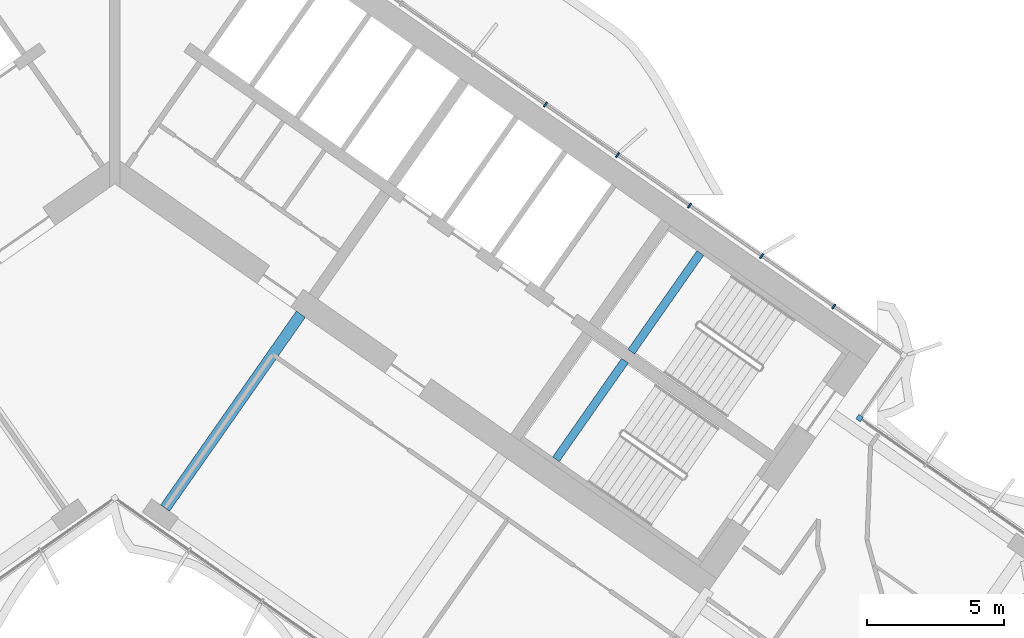
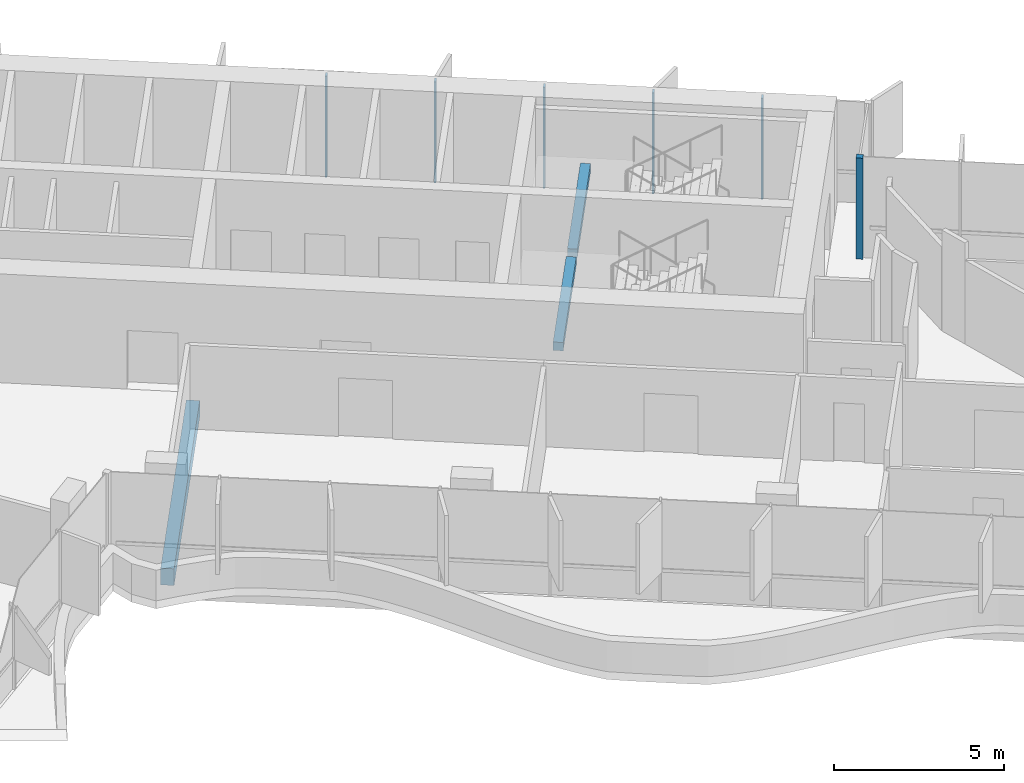
# One storey, part 6 of 21: 6 members, 3 beams, 1 element without a shape of its own.
"""IFC4 building model written with IfcOpenShell, lengths in metres."""

from ifc_helpers import new_model, si_unit, direction, frame, origin, origin_2d, place, context, subcontext, project, spatial, rectangle, extrude, material, material_profile, profile_set, type_object, element, aggregate, save


model = new_model("IFC4")

# Units and contexts
model_context = context("Model", 3, precision=1e-05, world=origin(), true_north=direction((0.0, 1.0)))
body_context = subcontext(model_context, "Body", "Model", "MODEL_VIEW")
ifc_project = project(units=[si_unit("LENGTHUNIT", "METRE"), si_unit("AREAUNIT", "SQUARE_METRE"), si_unit("VOLUMEUNIT", "CUBIC_METRE"), si_unit("PLANEANGLEUNIT", "RADIAN"), si_unit("MASSUNIT", "GRAM", prefix="KILO")], contexts=[model_context])

# Site, building, storey
site_placement = place(None, origin())
site = spatial("IfcSite", under=ifc_project, at=site_placement, CompositionType="ELEMENT")
building_placement = place(site_placement, origin())
building = spatial("IfcBuilding", under=site, at=building_placement, Name="Tel Ilan Convention Tower", CompositionType="ELEMENT")
storey_placement = place(building_placement, frame((0.0, 0.0, 210.0)))
storey = spatial("IfcBuildingStorey", under=building, at=storey_placement, Name="L49", CompositionType="ELEMENT", Elevation=210.0)

# Beam
ifc_material_1 = material(Name="Concrete C40/50", Category="concrete")
ifc_material_profile_1 = material_profile(ifc_material_1, rectangle(XDim=0.39990234375, YDim=0.60009765625, at=origin_2d()), Name="RC 400x600")
ifc_profile_set_1 = profile_set([ifc_material_profile_1], Name="Concrete C40/50")
beam_type_1 = type_object("IfcBeamType", Name="Beam RC 400x600 Concrete C40/50", PredefinedType="BEAM", material=ifc_profile_set_1)
beam_1_placement = place(storey_placement, frame((1.83740234375, -13.06689453125, -0.580078125), z_axis=(0.573574099654, 0.819153680457, 0.0), x_axis=(-0.819153680457, 0.573574099654, 0.0)))
element("IfcBeam", 1, at=beam_1_placement, inside=storey, type_object=beam_type_1, Name="L49 beam E-E-F1-core", PredefinedType="BEAM", context=body_context, shape_type="SweptSolid", body=[
    extrude(rectangle(XDim=0.39990234375, YDim=0.60009765625, at=origin_2d()), origin(), (0.0, 0.0, 1.0), 8.64990234375),
])

# Curtain wall, members
ifc_material_2 = material(Name="Aluminium, bronze anodised", Category="aluminium")
curtain_wall_type = type_object("IfcCurtainWallType", Name="CW2 STICK CURTAIN WALL, SPANDREL PANELS", PredefinedType="NOTDEFINED", material=ifc_material_2)
curtain_wall_placement = place(storey_placement, origin())
curtain_wall = element("IfcCurtainWall", 2, at=curtain_wall_placement, inside=storey, type_object=curtain_wall_type, Name="Curtain wall CW2-38.01", PredefinedType="NOTDEFINED")
ifc_material_3 = material(Name="Aluminium, bronze anodised", Category="aluminium")
ifc_material_profile_2 = material_profile(ifc_material_3, rectangle(XDim=0.199951171875, YDim=0.199951171875, at=origin_2d()), Name="CW CORNER MULLION 200x200")
ifc_profile_set_2 = profile_set([ifc_material_profile_2], Name="Aluminium, bronze anodised")
member_type_1 = type_object("IfcMemberType", Name="CW CORNER MULLION 200x200", PredefinedType="MULLION", material=ifc_profile_set_2)
member_1_placement = place(storey_placement, frame((27.213623046875, -9.77734375, 0.0), z_axis=(0.0, 0.0, 1.0), x_axis=(-0.819152044289, 0.573576436351, 0.0)))
member_1 = element("IfcMember", 3, at=member_1_placement, type_object=member_type_1, Name="Corner mullion", PredefinedType="MULLION", context=body_context, shape_type="SweptSolid", body=[
    extrude(rectangle(XDim=0.199951171875, YDim=0.199951171875, at=origin_2d()), origin(), (0.0, 0.0, 1.0), 3.6201171875),
])
ifc_material_4 = material(Name="Aluminium, bronze anodised", Category="aluminium")
ifc_material_profile_3 = material_profile(ifc_material_4, rectangle(XDim=0.06005859375, YDim=0.199951171875, at=origin_2d()), Name="CW MULLION 60x200")
ifc_profile_set_3 = profile_set([ifc_material_profile_3], Name="Aluminium, bronze anodised")
member_type_2 = type_object("IfcMemberType", Name="CW MULLION 60x200", PredefinedType="MULLION", material=ifc_profile_set_3)
member_2_placement = place(storey_placement, frame((26.268798828125, -5.697509765625, 0.0), z_axis=(0.0, 0.0, 1.0), x_axis=(-0.819152044289, 0.573576436351, 0.0)))
member_2 = element("IfcMember", 4, at=member_2_placement, type_object=member_type_2, Name="Mullion", PredefinedType="MULLION", context=body_context, shape_type="SweptSolid", body=[
    extrude(rectangle(XDim=0.06005859375, YDim=0.199951171875, at=origin_2d()), origin(), (0.0, 0.0, 1.0), 3.6201171875),
])
member_3_placement = place(storey_placement, frame((23.63623046875, -3.854248046875, 0.0), z_axis=(0.0, 0.0, 1.0), x_axis=(-0.819152044289, 0.573576436351, 0.0)))
member_3 = element("IfcMember", 5, at=member_3_placement, type_object=member_type_2, Name="Mullion", PredefinedType="MULLION", context=body_context, shape_type="SweptSolid", body=[
    extrude(rectangle(XDim=0.06005859375, YDim=0.199951171875, at=origin_2d()), origin(), (0.0, 0.0, 1.0), 3.6201171875),
])
member_4_placement = place(storey_placement, frame((21.003662109375, -2.0107421875, 0.0), z_axis=(0.0, 0.0, 1.0), x_axis=(-0.819152044289, 0.573576436351, 0.0)))
member_4 = element("IfcMember", 6, at=member_4_placement, type_object=member_type_2, Name="Mullion", PredefinedType="MULLION", context=body_context, shape_type="SweptSolid", body=[
    extrude(rectangle(XDim=0.06005859375, YDim=0.199951171875, at=origin_2d()), origin(), (0.0, 0.0, 1.0), 3.6201171875),
])
member_5_placement = place(storey_placement, frame((18.37109375, -0.16748046875, 0.0), z_axis=(0.0, 0.0, 1.0), x_axis=(-0.819152044289, 0.573576436351, 0.0)))
member_5 = element("IfcMember", 7, at=member_5_placement, type_object=member_type_2, Name="Mullion", PredefinedType="MULLION", context=body_context, shape_type="SweptSolid", body=[
    extrude(rectangle(XDim=0.06005859375, YDim=0.199951171875, at=origin_2d()), origin(), (0.0, 0.0, 1.0), 3.6201171875),
])
member_6_placement = place(storey_placement, frame((15.73828125, 1.676025390625, 0.0), z_axis=(0.0, 0.0, 1.0), x_axis=(-0.819152044289, 0.573576436351, 0.0)))
member_6 = element("IfcMember", 8, at=member_6_placement, type_object=member_type_2, Name="Mullion", PredefinedType="MULLION", context=body_context, shape_type="SweptSolid", body=[
    extrude(rectangle(XDim=0.06005859375, YDim=0.199951171875, at=origin_2d()), origin(), (0.0, 0.0, 1.0), 3.6201171875),
])
aggregate(curtain_wall, [member_1, member_2, member_3, member_4, member_5, member_6])

# Beams
ifc_material_5 = material(Name="Concrete C40/50", Category="concrete")
ifc_material_profile_4 = material_profile(ifc_material_5, rectangle(XDim=0.300048828125, YDim=0.300048828125, at=origin_2d()), Name="RC 300x300")
ifc_profile_set_4 = profile_set([ifc_material_profile_4], Name="Concrete C40/50")
beam_type_2 = type_object("IfcBeamType", Name="Landing Beam RC 300x300 Concrete C40/50", PredefinedType="BEAM", material=ifc_profile_set_4)
beam_2_placement = place(storey_placement, frame((21.39404296875, -3.7490234375, 1.60009765625), z_axis=(-0.57354426506, -0.819174569928, 0.0), x_axis=(0.819174569928, -0.57354426506, 0.0)))
element("IfcBeam", 9, at=beam_2_placement, inside=storey, type_object=beam_type_2, Name="S3 landing beam L49.1", PredefinedType="BEAM", context=body_context, shape_type="SweptSolid", body=[
    extrude(rectangle(XDim=0.300048828125, YDim=0.300048828125, at=origin_2d()), origin(), (0.0, 0.0, 1.0), 4.400146484375),
])
beam_3_placement = place(storey_placement, frame((18.640869140625, -7.68115234375, 1.60009765625), z_axis=(-0.573570334442, -0.819156316858, 0.0), x_axis=(0.819156316858, -0.573570334442, 0.0)))
element("IfcBeam", 10, at=beam_3_placement, inside=storey, type_object=beam_type_2, Name="S4 landing beam L49.1", PredefinedType="BEAM", context=body_context, shape_type="SweptSolid", body=[
    extrude(rectangle(XDim=0.300048828125, YDim=0.300048828125, at=origin_2d()), origin(), (0.0, 0.0, 1.0), 4.39990234375),
])

save(model, "model.ifc")
